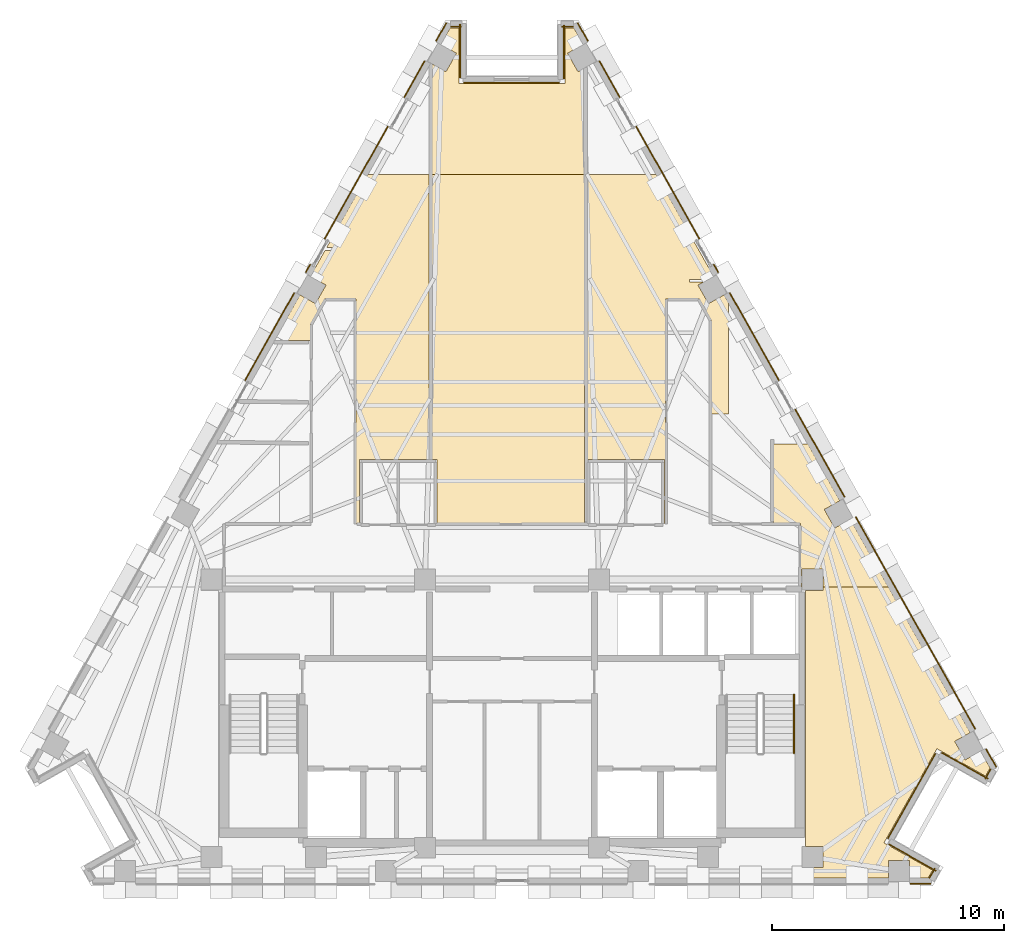
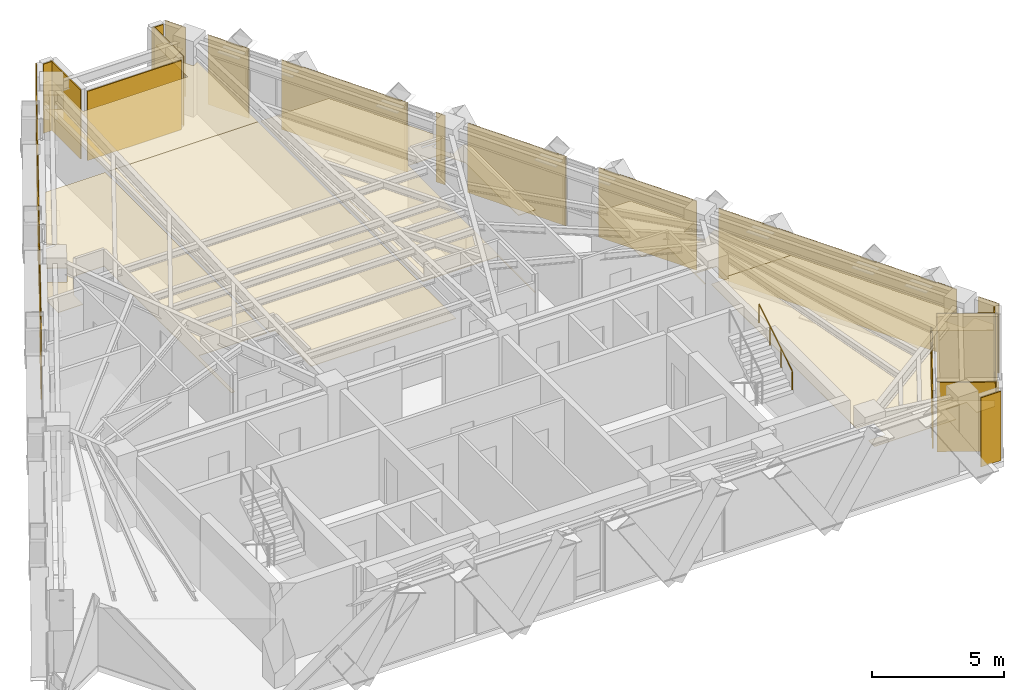
# One storey, part 12 of 12: 30 coverings, 1 railing.
"""IFC4 building model written with IfcOpenShell, lengths in metres."""

from ifc_helpers import new_model, si_unit, direction, frame, origin, origin_2d, place, context, subcontext, project, spatial, polyline, circle, outline, extrude, material, layer, layer_set, type_object, element, save


model = new_model("IFC4")

# Units and contexts
model_context = context("Model", 3, precision=1e-05, world=origin(), true_north=direction((0.0, 1.0)))
body_context = subcontext(model_context, "Body", "Model", "MODEL_VIEW")
ifc_project = project(units=[si_unit("LENGTHUNIT", "METRE"), si_unit("AREAUNIT", "SQUARE_METRE"), si_unit("VOLUMEUNIT", "CUBIC_METRE"), si_unit("PLANEANGLEUNIT", "RADIAN"), si_unit("MASSUNIT", "GRAM", prefix="KILO")], contexts=[model_context])

# Site, building, storey
site_placement = place(None, origin())
site = spatial("IfcSite", under=ifc_project, at=site_placement, CompositionType="ELEMENT")
building_placement = place(site_placement, origin())
building = spatial("IfcBuilding", under=site, at=building_placement, Name="Quenlor Broadcast Tower", CompositionType="ELEMENT")
storey_placement = place(building_placement, frame((0.0, 0.0, 200.89990234375)))
storey = spatial("IfcBuildingStorey", under=building, at=storey_placement, Name="L55", CompositionType="ELEMENT", Elevation=200.89990234375)

# Coverings
ifc_material_1 = material(Name="Acoustic Mineral Fibre Board", Category="other")
ifc_layer_1 = layer(ifc_material_1, 0.02490234375)
ifc_layer_set_1 = layer_set([ifc_layer_1], Name="Acoustic Perforated Mineral Tile Ceiling 25")
covering_type_1 = type_object("IfcCoveringType", Name="Acoustic Perforated Mineral Tile Ceiling 25", PredefinedType="CEILING", material=ifc_layer_set_1)
covering_1_placement = place(storey_placement, frame((0.0, 0.0, 2.375)))
element("IfcCovering", 1, at=covering_1_placement, inside=storey, type_object=covering_type_1, Name="L55 Acoustic Ceiling L55-26", PredefinedType="CEILING", context=body_context, shape_type="SweptSolid", body=[
    extrude(outline(polyline([(8.247802734375, 8.02001953125), (8.015869140625, 7.889404296875), (8.465087890625, 7.09130859375), (9.13427734375, 7.4677734375), (9.320068359375, 7.1376953125), (9.320068359375, 2.340087890625), (8.580078125, 2.340087890625), (8.580078125, 6.37255859375), (8.058349609375, 7.300048828125), (6.6201171875, 7.300048828125), (6.6201171875, -2.3701171875), (6.570068359375, -2.3701171875), (6.570068359375, 0.3701171875), (3.239990234375, 0.3701171875), (3.239990234375, 12.64990234375), (6.21923828125, 12.64990234375), (8.685302734375, 8.26611328125), (8.461181640625, 8.139892578125), (7.64990234375, 8.139892578125), (7.64990234375, 8.02001953125), (8.247802734375, 8.02001953125)])), origin(), (0.0, 0.0, 1.0), 0.025146484375),
])
covering_2_placement = place(storey_placement, frame((0.0, 0.0, 2.375)))
element("IfcCovering", 2, at=covering_2_placement, inside=storey, type_object=covering_type_1, Name="L55 Acoustic Ceiling L55-27", PredefinedType="CEILING", context=body_context, shape_type="SweptSolid", body=[
    extrude(outline(polyline([(-7.985595703125, 9.510009765625), (-6.21923828125, 12.64990234375), (-3.580078125, 12.64990234375), (-3.580078125, 0.3701171875), (-6.570068359375, 0.3701171875), (-6.570068359375, -2.3701171875), (-6.719970703125, -2.3701171875), (-6.719970703125, 7.300048828125), (-8.058349609375, 7.300048828125), (-8.679931640625, 6.19482421875), (-8.679931640625, 5.510009765625), (-9.760009765625, 5.510009765625), (-9.760009765625, 6.35546875), (-9.13427734375, 7.4677734375), (-8.465087890625, 7.09130859375), (-8.015869140625, 7.889404296875), (-8.685302734375, 8.26611328125), (-8.052978515625, 9.389892578125), (-7.64990234375, 9.389892578125), (-7.64990234375, 9.510009765625), (-7.985595703125, 9.510009765625)])), origin(), (0.0, 0.0, 1.0), 0.025146484375),
])
covering_3_placement = place(storey_placement, frame((0.0, 0.0, 2.375)))
element("IfcCovering", 3, at=covering_3_placement, inside=storey, type_object=covering_type_1, Name="L55 Acoustic Ceiling L55-28", PredefinedType="CEILING", context=body_context, shape_type="SweptSolid", body=[
    extrude(outline(polyline([(3.1201171875, -2.3701171875), (-3.22998046875, -2.3701171875), (-3.22998046875, 0.3701171875), (-3.4599609375, 0.3701171875), (-3.4599609375, 12.64990234375), (3.1201171875, 12.64990234375), (3.1201171875, -2.3701171875)])), origin(), (0.0, 0.0, 1.0), 0.025146484375),
])
covering_4_placement = place(storey_placement, frame((0.0, 0.0, 2.375)))
element("IfcCovering", 4, at=covering_4_placement, inside=storey, type_object=covering_type_1, Name="L55 Acoustic Ceiling L55-28-2", PredefinedType="CEILING", context=body_context, shape_type="SweptSolid", body=[
    extrude(outline(polyline([(2.2861328125, 16.572021484375), (2.2861328125, 18.971923828125), (2.6630859375, 18.971923828125), (3.066162109375, 18.255615234375), (2.396728515625, 17.87890625), (2.845947265625, 17.08056640625), (3.1201171875, 17.23486328125), (3.1201171875, 12.64990234375), (-3.4599609375, 12.64990234375), (-3.4599609375, 17.426025390625), (-2.845947265625, 17.08056640625), (-2.396728515625, 17.87890625), (-3.066162109375, 18.255615234375), (-2.6630859375, 18.971923828125), (-2.2861328125, 18.971923828125), (-2.2861328125, 16.572021484375), (2.2861328125, 16.572021484375)])), origin(), (0.0, 0.0, 1.0), 0.025146484375),
])
covering_5_placement = place(storey_placement, frame((0.0, 0.0, 2.375)))
element("IfcCovering", 5, at=covering_5_placement, inside=storey, type_object=covering_type_1, Name="L55 Acoustic Ceiling L55-33", PredefinedType="CEILING", context=body_context, shape_type="SweptSolid", body=[
    extrude(outline(polyline([(11.25732421875, -2.3701171875), (11.25732421875, 1.049072265625), (12.744873046875, 1.049072265625), (14.123046875, -1.401123046875), (13.45361328125, -1.777587890625), (13.90283203125, -2.575927734375), (14.572021484375, -2.199462890625), (16.21484375, -5.1201171875), (13.407958984375, -5.1201171875), (13.407958984375, -4.342041015625), (12.491943359375, -4.342041015625), (12.491943359375, -5.1201171875), (12.43994140625, -5.1201171875), (12.43994140625, -2.3701171875), (11.25732421875, -2.3701171875)])), origin(), (0.0, 0.0, 1.0), 0.025146484375),
])
covering_6_placement = place(storey_placement, frame((0.0, 0.0, 2.375)))
element("IfcCovering", 6, at=covering_6_placement, inside=storey, type_object=covering_type_1, Name="L55 Acoustic Ceiling L55-33-2", PredefinedType="CEILING", context=body_context, shape_type="SweptSolid", body=[
    extrude(outline(polyline([(19.7421875, -11.390625), (19.07275390625, -11.76708984375), (19.52197265625, -12.5654296875), (20.191162109375, -12.18896484375), (20.597900390625, -12.912109375), (20.400390625, -13.26318359375), (18.30859375, -12.08642578125), (16.029052734375, -16.138916015625), (18.120849609375, -17.315673828125), (17.927001953125, -17.659912109375), (17.1337890625, -17.659912109375), (17.1337890625, -16.89208984375), (16.218017578125, -16.89208984375), (16.218017578125, -17.659912109375), (12.64990234375, -17.659912109375), (12.64990234375, -17.2080078125), (13.407958984375, -17.2080078125), (13.407958984375, -16.2919921875), (12.64990234375, -16.2919921875), (12.64990234375, -5.258056640625), (13.407958984375, -5.258056640625), (13.407958984375, -5.1201171875), (16.21484375, -5.1201171875), (19.7421875, -11.390625)])), origin(), (0.0, 0.0, 1.0), 0.025146484375),
])
ifc_material_2 = material(Name="Architectural Terracotta Ceramic", Category="masonry")
ifc_layer_2 = layer(ifc_material_2, 0.044921875)
ifc_layer_set_2 = layer_set([ifc_layer_2], Name="Fluted Terracotta Rainscreen Cladding Panel")
covering_type_2 = type_object("IfcCoveringType", Name="Fluted Terracotta Rainscreen Cladding Panel", PredefinedType="CLADDING", material=ifc_layer_set_2)
covering_7_placement = place(storey_placement, frame((0.0, 0.0, 0.02001953125)))
element("IfcCovering", 7, at=covering_7_placement, inside=storey, type_object=covering_type_2, Name="L55 Terracotta Rainscreen Cladding L55-SHD-SS0", PredefinedType="CLADDING", context=body_context, shape_type="SweptSolid", body=[
    extrude(outline(polyline([(18.035888671875, -17.886962890625), (17.160888671875, -17.886962890625), (17.160888671875, -17.931884765625), (18.035888671875, -17.931884765625), (18.035888671875, -17.886962890625)])), origin(), (0.0, 0.0, 1.0), 3.2099609375),
])
covering_8_placement = place(storey_placement, frame((0.0, 0.0, 0.02001953125)))
element("IfcCovering", 8, at=covering_8_placement, inside=storey, type_object=covering_type_2, Name="L55 Terracotta Rainscreen Cladding L55-SHD-NES0", PredefinedType="CLADDING", context=body_context, shape_type="SweptSolid", body=[
    extrude(outline(polyline([(2.8076171875, 19.17822265625), (3.250732421875, 18.390380859375), (3.2900390625, 18.412353515625), (2.8466796875, 19.2001953125), (2.8076171875, 19.17822265625)])), origin(), (0.0, 0.0, 1.0), 3.2099609375),
])
covering_9_placement = place(storey_placement, frame((0.0, 0.0, 0.02001953125)))
element("IfcCovering", 9, at=covering_9_placement, inside=storey, type_object=covering_type_2, Name="L55 Terracotta Rainscreen Cladding L55-SHD-NES1", PredefinedType="CLADDING", context=body_context, shape_type="SweptSolid", body=[
    extrude(outline(polyline([(20.402099609375, -12.10107421875), (20.845458984375, -12.888916015625), (20.884521484375, -12.866943359375), (20.44140625, -12.0791015625), (20.402099609375, -12.10107421875)])), origin(), (0.0, 0.0, 1.0), 3.2099609375),
])
covering_10_placement = place(storey_placement, frame((0.0, 0.0, 0.02001953125)))
element("IfcCovering", 10, at=covering_10_placement, inside=storey, type_object=covering_type_2, Name="L55 Terracotta Rainscreen Cladding L55-NEA-SP1", PredefinedType="CLADDING", context=body_context, shape_type="SweptSolid", body=[
    extrude(outline(polyline([(3.744873046875, 17.532470703125), (4.625, 15.967529296875), (4.664306640625, 15.989501953125), (3.7841796875, 17.554443359375), (3.744873046875, 17.532470703125)])), origin(), (0.0, 0.0, 1.0), 3.2099609375),
])
covering_11_placement = place(storey_placement, frame((0.0, 0.0, 0.02001953125)))
element("IfcCovering", 11, at=covering_11_placement, inside=storey, type_object=covering_type_2, Name="L55 Terracotta Rainscreen Cladding L55-NEA-SP2", PredefinedType="CLADDING", context=body_context, shape_type="SweptSolid", body=[
    extrude(outline(polyline([(5.3291015625, 14.716064453125), (8.05419921875, 9.871337890625), (8.09326171875, 9.893310546875), (5.368408203125, 14.738037109375), (5.3291015625, 14.716064453125)])), origin(), (0.0, 0.0, 1.0), 3.2099609375),
])
covering_12_placement = place(storey_placement, frame((0.0, 0.0, 0.02001953125)))
element("IfcCovering", 12, at=covering_12_placement, inside=storey, type_object=covering_type_2, Name="L55 Terracotta Rainscreen Cladding L55-NEA-SP3", PredefinedType="CLADDING", context=body_context, shape_type="SweptSolid", body=[
    extrude(outline(polyline([(8.672607421875, 8.77197265625), (8.86865234375, 8.42333984375), (8.907958984375, 8.4453125), (8.7119140625, 8.7939453125), (8.672607421875, 8.77197265625)])), origin(), (0.0, 0.0, 1.0), 3.2099609375),
])
covering_13_placement = place(storey_placement, frame((0.0, 0.0, 0.02001953125)))
element("IfcCovering", 13, at=covering_13_placement, inside=storey, type_object=covering_type_2, Name="L55 Terracotta Rainscreen Cladding L55-EW-NEC", PredefinedType="CLADDING", context=body_context, shape_type="SweptSolid", body=[
    extrude(outline(polyline([(14.7919921875, -2.106689453125), (19.935302734375, -11.250732421875), (19.974609375, -11.228759765625), (14.831298828125, -2.084716796875), (14.7919921875, -2.106689453125)])), origin(), (0.0, 0.0, 1.0), 3.2099609375),
])
covering_14_placement = place(storey_placement, frame((0.0, 0.0, 0.02001953125)))
element("IfcCovering", 14, at=covering_14_placement, inside=storey, type_object=covering_type_2, Name="L55 Terracotta Rainscreen Cladding L55-NE-SP1", PredefinedType="CLADDING", context=body_context, shape_type="SweptSolid", body=[
    extrude(outline(polyline([(9.361328125, 7.54736328125), (11.483154296875, 3.775390625), (11.5224609375, 3.79736328125), (9.400634765625, 7.5693359375), (9.361328125, 7.54736328125)])), origin(), (0.0, 0.0, 1.0), 3.2099609375),
])
covering_15_placement = place(storey_placement, frame((0.0, 0.0, 0.02001953125)))
element("IfcCovering", 15, at=covering_15_placement, inside=storey, type_object=covering_type_2, Name="L55 Terracotta Rainscreen Cladding L55-NE-SP2", PredefinedType="CLADDING", context=body_context, shape_type="SweptSolid", body=[
    extrude(outline(polyline([(12.187255859375, 2.523681640625), (14.30908203125, -1.248291015625), (14.34814453125, -1.226318359375), (12.2265625, 2.5458984375), (12.187255859375, 2.523681640625)])), origin(), (0.0, 0.0, 1.0), 3.2099609375),
])
covering_16_placement = place(storey_placement, frame((0.0, 0.0, 0.02001953125)))
element("IfcCovering", 16, at=covering_16_placement, inside=storey, type_object=covering_type_2, Name="L55 Terracotta Rainscreen Cladding L55-SHD-NWS1", PredefinedType="CLADDING", context=body_context, shape_type="SweptSolid", body=[
    extrude(outline(polyline([(-3.250732421875, 18.390380859375), (-2.8076171875, 19.17822265625), (-2.8466796875, 19.2001953125), (-3.2900390625, 18.412353515625), (-3.250732421875, 18.390380859375)])), origin(), (0.0, 0.0, 1.0), 3.2099609375),
])
covering_17_placement = place(storey_placement, frame((0.0, 0.0, 0.02001953125)))
element("IfcCovering", 17, at=covering_17_placement, inside=storey, type_object=covering_type_2, Name="L55 Terracotta Rainscreen Cladding L55-NWC-SP1", PredefinedType="CLADDING", context=body_context, shape_type="SweptSolid", body=[
    extrude(outline(polyline([(-8.86865234375, 8.42333984375), (-8.672607421875, 8.77197265625), (-8.7119140625, 8.7939453125), (-8.907958984375, 8.4453125), (-8.86865234375, 8.42333984375)])), origin(), (0.0, 0.0, 1.0), 3.2099609375),
])
covering_18_placement = place(storey_placement, frame((0.0, 0.0, 0.02001953125)))
element("IfcCovering", 18, at=covering_18_placement, inside=storey, type_object=covering_type_2, Name="L55 Terracotta Rainscreen Cladding L55-NWC-SP2", PredefinedType="CLADDING", context=body_context, shape_type="SweptSolid", body=[
    extrude(outline(polyline([(-8.05419921875, 9.871337890625), (-5.3291015625, 14.716064453125), (-5.368408203125, 14.738037109375), (-8.09326171875, 9.893310546875), (-8.05419921875, 9.871337890625)])), origin(), (0.0, 0.0, 1.0), 3.2099609375),
])
covering_19_placement = place(storey_placement, frame((0.0, 0.0, 0.02001953125)))
element("IfcCovering", 19, at=covering_19_placement, inside=storey, type_object=covering_type_2, Name="L55 Terracotta Rainscreen Cladding L55-NWC-SP3", PredefinedType="CLADDING", context=body_context, shape_type="SweptSolid", body=[
    extrude(outline(polyline([(-4.625, 15.967529296875), (-3.744873046875, 17.532470703125), (-3.7841796875, 17.554443359375), (-4.664306640625, 15.989501953125), (-4.625, 15.967529296875)])), origin(), (0.0, 0.0, 1.0), 3.2099609375),
])
covering_20_placement = place(storey_placement, frame((0.0, 0.0, 0.02001953125)))
element("IfcCovering", 20, at=covering_20_placement, inside=storey, type_object=covering_type_2, Name="L55 Terracotta Rainscreen Cladding L55-NW-SP2", PredefinedType="CLADDING", context=body_context, shape_type="SweptSolid", body=[
    extrude(outline(polyline([(-11.483154296875, 3.775390625), (-9.361328125, 7.54736328125), (-9.400634765625, 7.5693359375), (-11.5224609375, 3.79736328125), (-11.483154296875, 3.775390625)])), origin(), (0.0, 0.0, 1.0), 3.2099609375),
])
covering_21_placement = place(storey_placement, frame((0.0, 0.0, 0.02001953125)))
element("IfcCovering", 21, at=covering_21_placement, inside=storey, type_object=covering_type_2, Name="L55 Terracotta Rainscreen Cladding L55-CNR-01", PredefinedType="CLADDING", context=body_context, shape_type="SweptSolid", body=[
    extrude(outline(polyline([(18.284912109375, -17.329833984375), (16.245361328125, -16.1826171875), (16.223388671875, -16.2216796875), (18.262939453125, -17.368896484375), (18.284912109375, -17.329833984375)])), origin(), (0.0, 0.0, 1.0), 3.2099609375),
])
covering_22_placement = place(storey_placement, frame((0.0, 0.0, 0.02001953125)))
element("IfcCovering", 22, at=covering_22_placement, inside=storey, type_object=covering_type_2, Name="L55 Terracotta Rainscreen Cladding L55-CNR-02", PredefinedType="CLADDING", context=body_context, shape_type="SweptSolid", body=[
    extrude(outline(polyline([(16.2109375, -15.954345703125), (18.264892578125, -12.302734375), (18.225830078125, -12.28076171875), (16.171630859375, -15.932373046875), (16.2109375, -15.954345703125)])), origin(), (0.0, 0.0, 1.0), 2.681884765625),
])
covering_23_placement = place(storey_placement, frame((0.0, 0.0, 0.02001953125)))
element("IfcCovering", 23, at=covering_23_placement, inside=storey, type_object=covering_type_2, Name="L55 Terracotta Rainscreen Cladding L55-CNR-03", PredefinedType="CLADDING", context=body_context, shape_type="SweptSolid", body=[
    extrude(outline(polyline([(18.493408203125, -12.268310546875), (20.497802734375, -13.39599609375), (20.52001953125, -13.356689453125), (18.515380859375, -12.22900390625), (18.493408203125, -12.268310546875)])), origin(), (0.0, 0.0, 1.0), 3.2099609375),
])
covering_24_placement = place(storey_placement, frame((0.0, 0.0, 0.02001953125)))
element("IfcCovering", 24, at=covering_24_placement, inside=storey, type_object=covering_type_2, Name="L55 Terracotta Rainscreen Cladding L55-CNR-04", PredefinedType="CLADDING", context=body_context, shape_type="SweptSolid", body=[
    extrude(outline(polyline([(20.40576171875, -13.39208984375), (20.64306640625, -12.970458984375), (20.60400390625, -12.948486328125), (20.36669921875, -13.3701171875), (20.40576171875, -13.39208984375)])), origin(), (0.0, 0.0, 1.0), 3.2099609375),
])
covering_25_placement = place(storey_placement, frame((0.0, 0.0, 0.02001953125)))
element("IfcCovering", 25, at=covering_25_placement, inside=storey, type_object=covering_type_2, Name="L55 Terracotta Rainscreen Cladding L55-CNR-06", PredefinedType="CLADDING", context=body_context, shape_type="SweptSolid", body=[
    extrude(outline(polyline([(2.62841796875, 19.0400390625), (2.13623046875, 19.0400390625), (2.13623046875, 18.9951171875), (2.62841796875, 18.9951171875), (2.62841796875, 19.0400390625)])), origin(), (0.0, 0.0, 1.0), 3.2099609375),
])
covering_26_placement = place(storey_placement, frame((0.0, 0.0, 0.02001953125)))
element("IfcCovering", 26, at=covering_26_placement, inside=storey, type_object=covering_type_2, Name="L55 Terracotta Rainscreen Cladding L55-CNR-07", PredefinedType="CLADDING", context=body_context, shape_type="SweptSolid", body=[
    extrude(outline(polyline([(2.21826171875, 19.08203125), (2.21826171875, 16.781982421875), (2.26318359375, 16.781982421875), (2.26318359375, 19.08203125), (2.21826171875, 19.08203125)])), origin(), (0.0, 0.0, 1.0), 3.2099609375),
])
covering_27_placement = place(storey_placement, frame((0.0, 0.0, 0.02001953125)))
element("IfcCovering", 27, at=covering_27_placement, inside=storey, type_object=covering_type_2, Name="L55 Terracotta Rainscreen Cladding L55-CNR-08", PredefinedType="CLADDING", context=body_context, shape_type="SweptSolid", body=[
    extrude(outline(polyline([(2.0361328125, 16.639892578125), (-2.076171875, 16.639892578125), (-2.076171875, 16.594970703125), (2.0361328125, 16.594970703125), (2.0361328125, 16.639892578125)])), origin(), (0.0, 0.0, 1.0), 3.2099609375),
])
covering_28_placement = place(storey_placement, frame((0.0, 0.0, 0.02001953125)))
element("IfcCovering", 28, at=covering_28_placement, inside=storey, type_object=covering_type_2, Name="L55 Terracotta Rainscreen Cladding L55-CNR-09", PredefinedType="CLADDING", context=body_context, shape_type="SweptSolid", body=[
    extrude(outline(polyline([(-2.21826171875, 16.822021484375), (-2.21826171875, 19.1220703125), (-2.26318359375, 19.1220703125), (-2.26318359375, 16.822021484375), (-2.21826171875, 16.822021484375)])), origin(), (0.0, 0.0, 1.0), 3.2099609375),
])
covering_29_placement = place(storey_placement, frame((0.0, 0.0, 0.02001953125)))
element("IfcCovering", 29, at=covering_29_placement, inside=storey, type_object=covering_type_2, Name="L55 Terracotta Rainscreen Cladding L55-CNR-10", PredefinedType="CLADDING", context=body_context, shape_type="SweptSolid", body=[
    extrude(outline(polyline([(-2.17626953125, 19.0400390625), (-2.62841796875, 19.0400390625), (-2.62841796875, 18.9951171875), (-2.17626953125, 18.9951171875), (-2.17626953125, 19.0400390625)])), origin(), (0.0, 0.0, 1.0), 3.2099609375),
])
covering_30_placement = place(storey_placement, frame((0.0, 0.0, 0.02001953125)))
element("IfcCovering", 30, at=covering_30_placement, inside=storey, type_object=covering_type_2, Name="L55 Terracotta Rainscreen Cladding L55-CNR-18", PredefinedType="CLADDING", context=body_context, shape_type="SweptSolid", body=[
    extrude(outline(polyline([(17.99853515625, -17.671630859375), (18.234130859375, -17.2529296875), (18.19482421875, -17.23095703125), (17.959228515625, -17.649658203125), (17.99853515625, -17.671630859375)])), origin(), (0.0, 0.0, 1.0), 3.2099609375),
])

# Railing
ifc_material_3 = material(Name="Anodised Aluminium", Category="aluminium")
railing_type = type_object("IfcRailingType", Name="Stainless Aluminium Wall Handrail 900", PredefinedType="HANDRAIL", material=ifc_material_3)
railing_placement = place(storey_placement, frame((12.14990234375, -12.27001953125, 1.925048828125)))
element("IfcRailing", 31, at=railing_placement, inside=storey, type_object=railing_type, Name="L55 ST-2 stair handrail 2", PredefinedType="HANDRAIL", context=body_context, shape_type="SweptSolid", body=[
    extrude(circle(Radius=0.02392578125, at=origin_2d()), frame((0.0, 0.0, 0.8759765625), z_axis=(0.0, 0.848007534815, 0.529984170421), x_axis=(-1.0, 0.0, 0.0)), (0.0, 0.0, 1.0), 2.9716796875),
    extrude(circle(Radius=0.02099609375, at=origin_2d()), origin(), (0.0, 0.0, 1.0), 0.851806640625),
    extrude(circle(Radius=0.02099609375, at=origin_2d()), frame((0.0, 0.840087890625, 0.52490234375)), (0.0, 0.0, 1.0), 0.851806640625),
    extrude(circle(Radius=0.02099609375, at=origin_2d()), frame((0.0, 1.679931640625, 1.050048828125)), (0.0, 0.0, 1.0), 0.851806640625),
    extrude(circle(Radius=0.02099609375, at=origin_2d()), frame((0.0, 2.52001953125, 1.574951171875)), (0.0, 0.0, 1.0), 0.851806640625),
])

save(model, "model.ifc")
